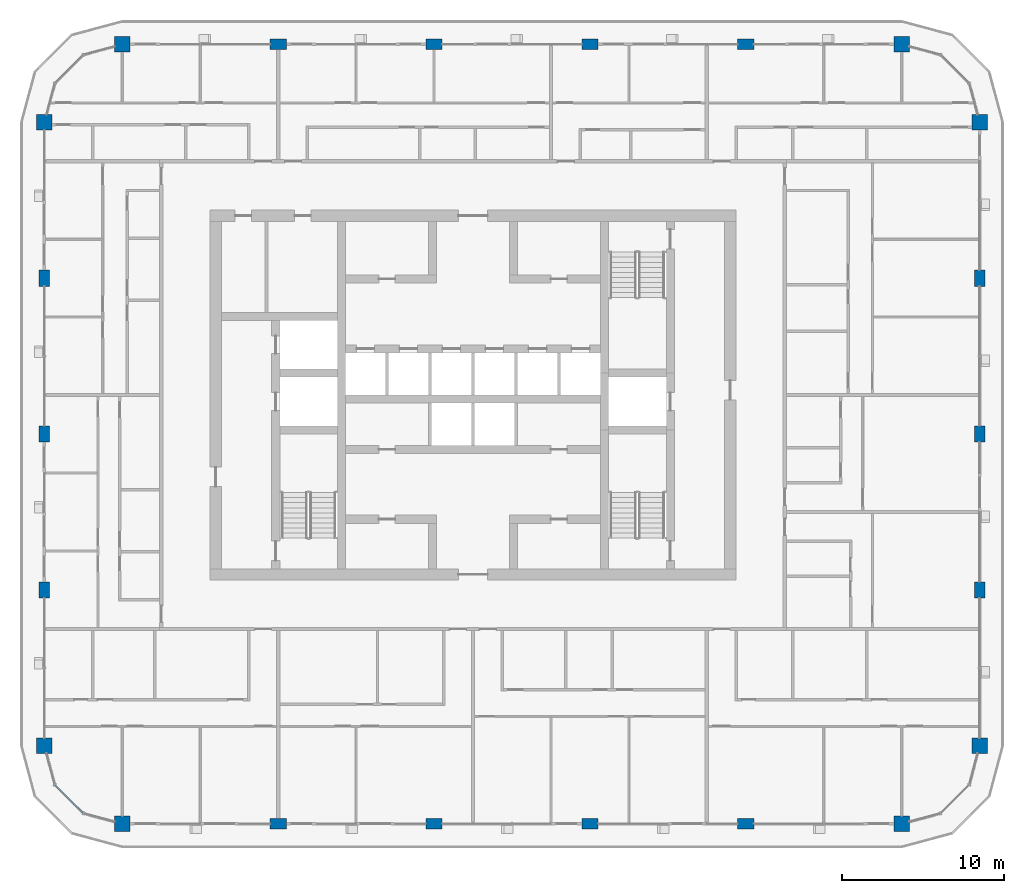
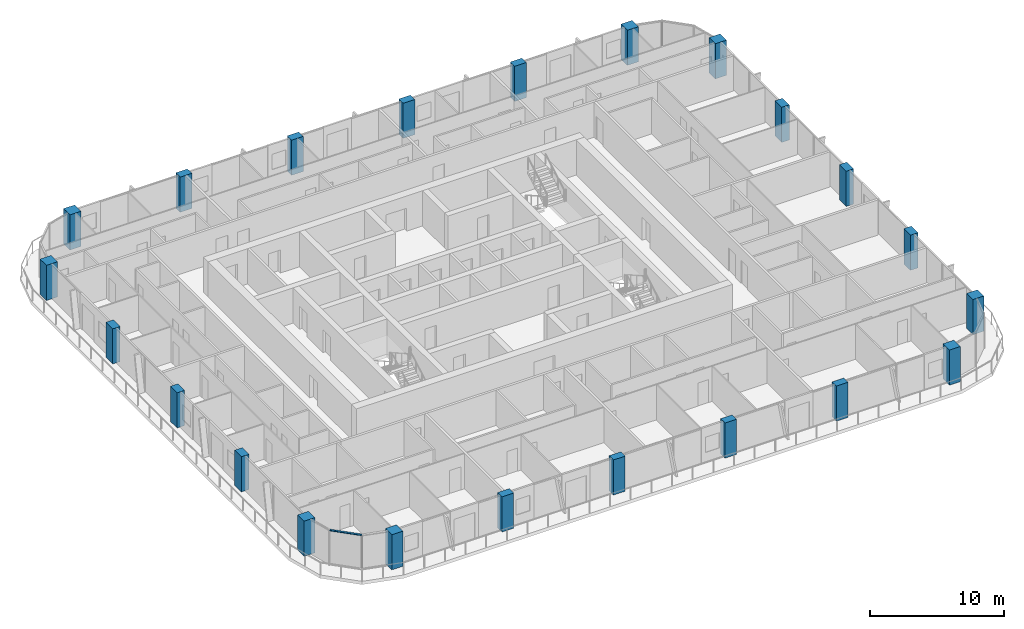
# One storey, part 1 of 21: 22 columns, 1 member, 1 element without a shape of its own.
"""IFC4 building model written with IfcOpenShell, lengths in metres."""

from ifc_helpers import new_model, si_unit, direction, frame, origin, origin_2d, place, context, subcontext, project, spatial, rectangle, extrude, material, layer, layer_set, material_profile, profile_set, type_object, element, aggregate, save


model = new_model("IFC4")

# Units and contexts
model_context = context("Model", 3, precision=1e-05, world=origin(), true_north=direction((0.0, 1.0)))
body_context = subcontext(model_context, "Body", "Model", "MODEL_VIEW")
ifc_project = project(units=[si_unit("LENGTHUNIT", "METRE"), si_unit("AREAUNIT", "SQUARE_METRE"), si_unit("VOLUMEUNIT", "CUBIC_METRE"), si_unit("PLANEANGLEUNIT", "RADIAN"), si_unit("MASSUNIT", "GRAM", prefix="KILO")], contexts=[model_context])

# Site, building, storey
site_placement = place(None, origin())
site = spatial("IfcSite", under=ifc_project, at=site_placement, CompositionType="ELEMENT")
building_placement = place(site_placement, origin())
building = spatial("IfcBuilding", under=site, at=building_placement, Name="Madar Terraces", CompositionType="ELEMENT")
storey_placement = place(building_placement, frame((0.0, 0.0, 196.39990234375)))
storey = spatial("IfcBuildingStorey", under=building, at=storey_placement, Name="L51", CompositionType="ELEMENT", Elevation=196.39990234375)

# Columns
ifc_material_1 = material(Name="Concrete C60/75", Category="concrete")
ifc_material_profile_1 = material_profile(ifc_material_1, rectangle(XDim=1.0, YDim=0.64990234375, at=origin_2d()), Name="CC4 RC 1000x650")
ifc_profile_set_1 = profile_set([ifc_material_profile_1], Name="Concrete C60/75")
column_type_1 = type_object("IfcColumnType", Name="CC4 RC 1000x650", PredefinedType="COLUMN", material=ifc_profile_set_1)
for number, where, z_axis, x_axis, name in (
    (1, (19.199951171875, 0.0, 0.0), (0.0, 0.0, 1.0), (1.0, 0.0, 0.0), "Perimeter column S2"),
    (2, (28.800048828125, 0.0, 0.0), (0.0, 0.0, 1.0), (1.0, 0.0, 0.0), "Perimeter column S3"),
    (3, (38.39990234375, 0.0, 0.0), (0.0, 0.0, 1.0), (1.0, 0.0, 0.0), "Perimeter column S4"),
    (4, (48.0, 0.0, 0.0), (0.0, 0.0, 1.0), (1.0, 0.0, 0.0), "Perimeter column S5"),
    (5, (62.39990234375, 14.39990234375, 0.0), (0.0, 0.0, 1.0), (0.0, 1.0, 0.0), "Perimeter column E2"),
    (6, (62.39990234375, 24.0, 0.0), (0.0, 0.0, 1.0), (0.0, 1.0, 0.0), "Perimeter column E3"),
    (7, (62.39990234375, 33.60009765625, 0.0), (0.0, 0.0, 1.0), (0.0, 1.0, 0.0), "Perimeter column E4"),
    (8, (48.0, 48.0, 0.0), (0.0, 0.0, 1.0), (1.0, 0.0, 0.0), "Perimeter column N2"),
    (9, (38.39990234375, 48.0, 0.0), (0.0, 0.0, 1.0), (1.0, 0.0, 0.0), "Perimeter column N3"),
    (10, (28.800048828125, 48.0, 0.0), (0.0, 0.0, 1.0), (1.0, 0.0, 0.0), "Perimeter column N4"),
    (11, (19.199951171875, 48.0, 0.0), (0.0, 0.0, 1.0), (1.0, 0.0, 0.0), "Perimeter column N5"),
    (12, (4.800048828125, 33.60009765625, 0.0), (0.0, 0.0, 1.0), (0.0, 1.0, 0.0), "Perimeter column W2"),
    (13, (4.800048828125, 24.0, 0.0), (0.0, 0.0, 1.0), (0.0, 1.0, 0.0), "Perimeter column W3"),
    (14, (4.800048828125, 14.39990234375, 0.0), (0.0, 0.0, 1.0), (0.0, 1.0, 0.0), "Perimeter column W4"),
):
    element("IfcColumn", number, at=place(storey_placement, frame(where, z_axis=z_axis, x_axis=x_axis)), inside=storey, type_object=column_type_1, Name=name, PredefinedType="COLUMN", context=body_context, shape_type="SweptSolid", body=[
        extrude(rectangle(XDim=1.0, YDim=0.64990234375, at=origin_2d()), origin(), (0.0, 0.0, 1.0), 3.2001953125),
    ])
ifc_material_2 = material(Name="Concrete C60/75", Category="concrete")
ifc_material_profile_2 = material_profile(ifc_material_2, rectangle(XDim=0.949951171875, YDim=0.949951171875, at=origin_2d()), Name="KC4 RC 950x950")
ifc_profile_set_2 = profile_set([ifc_material_profile_2], Name="Concrete C60/75")
column_type_2 = type_object("IfcColumnType", Name="KC4 RC 950x950", PredefinedType="COLUMN", material=ifc_profile_set_2)
for number, where, z_axis, x_axis, name in (
    (15, (9.60009765625, 0.0, 0.0), (0.0, 0.0, 1.0), (1.0, 0.0, 0.0), "Perimeter column S1"),
    (16, (57.60009765625, 0.0, 0.0), (0.0, 0.0, 1.0), (1.0, 0.0, 0.0), "Perimeter column S6"),
    (17, (62.39990234375, 4.800048828125, 0.0), (0.0, 0.0, 1.0), (1.0, 0.0, 0.0), "Perimeter column E1"),
    (18, (62.39990234375, 43.199951171875, 0.0), (0.0, 0.0, 1.0), (1.0, 0.0, 0.0), "Perimeter column E5"),
    (19, (57.60009765625, 48.0, 0.0), (0.0, 0.0, 1.0), (1.0, 0.0, 0.0), "Perimeter column N1"),
    (20, (9.60009765625, 48.0, 0.0), (0.0, 0.0, 1.0), (1.0, 0.0, 0.0), "Perimeter column N6"),
    (21, (4.800048828125, 43.199951171875, 0.0), (0.0, 0.0, 1.0), (1.0, 0.0, 0.0), "Perimeter column W1"),
    (22, (4.800048828125, 4.800048828125, 0.0), (0.0, 0.0, 1.0), (1.0, 0.0, 0.0), "Perimeter column W5"),
):
    element("IfcColumn", number, at=place(storey_placement, frame(where, z_axis=z_axis, x_axis=x_axis)), inside=storey, type_object=column_type_2, Name=name, PredefinedType="COLUMN", context=body_context, shape_type="SweptSolid", body=[
        extrude(rectangle(XDim=0.949951171875, YDim=0.949951171875, at=origin_2d()), origin(), (0.0, 0.0, 1.0), 3.2001953125),
    ])

# Curtain wall, member
ifc_material_3 = material(Name="Glass, ceramic frit dark grey, with black aluminium frame", Category="aluminium")
ifc_layer = layer(ifc_material_3, 0.199951171875)
ifc_layer_set = layer_set([ifc_layer], Name="Facade curtain wall, fritted glass")
curtain_wall_type = type_object("IfcCurtainWallType", Name="Facade curtain wall, fritted glass", PredefinedType="NOTDEFINED", material=ifc_layer_set)
curtain_wall_placement = place(storey_placement, origin())
curtain_wall = element("IfcCurtainWall", 23, at=curtain_wall_placement, inside=storey, type_object=curtain_wall_type, Name="Outer skin curtain wall south-west corner", PredefinedType="NOTDEFINED")
ifc_material_4 = material(Name="Aluminium, black anodised", Category="aluminium")
ifc_material_profile_3 = material_profile(ifc_material_4, rectangle(XDim=0.1201171875, YDim=0.06005859375, at=origin_2d()), Name="Facade transom 60x120")
ifc_profile_set_3 = profile_set([ifc_material_profile_3], Name="Aluminium, black anodised")
member_type = type_object("IfcMemberType", Name="Facade transom 60x120", PredefinedType="USERDEFINED", material=ifc_profile_set_3)
member_placement = place(storey_placement, frame((5.46435546875, 2.37890625, 3.170166015625), z_axis=(0.707056433593, -0.707157125196, 0.0), x_axis=(0.707157125196, 0.707056433593, 0.0)))
member = element("IfcMember", 24, at=member_placement, type_object=member_type, Name="Transom 2", ObjectType="TRANSOM", PredefinedType="USERDEFINED", context=body_context, shape_type="SweptSolid", body=[
    extrude(rectangle(XDim=0.1201171875, YDim=0.06005859375, at=origin_2d()), origin(), (0.0, 0.0, 1.0), 2.424560546875),
])
aggregate(curtain_wall, [member])

save(model, "model.ifc")
